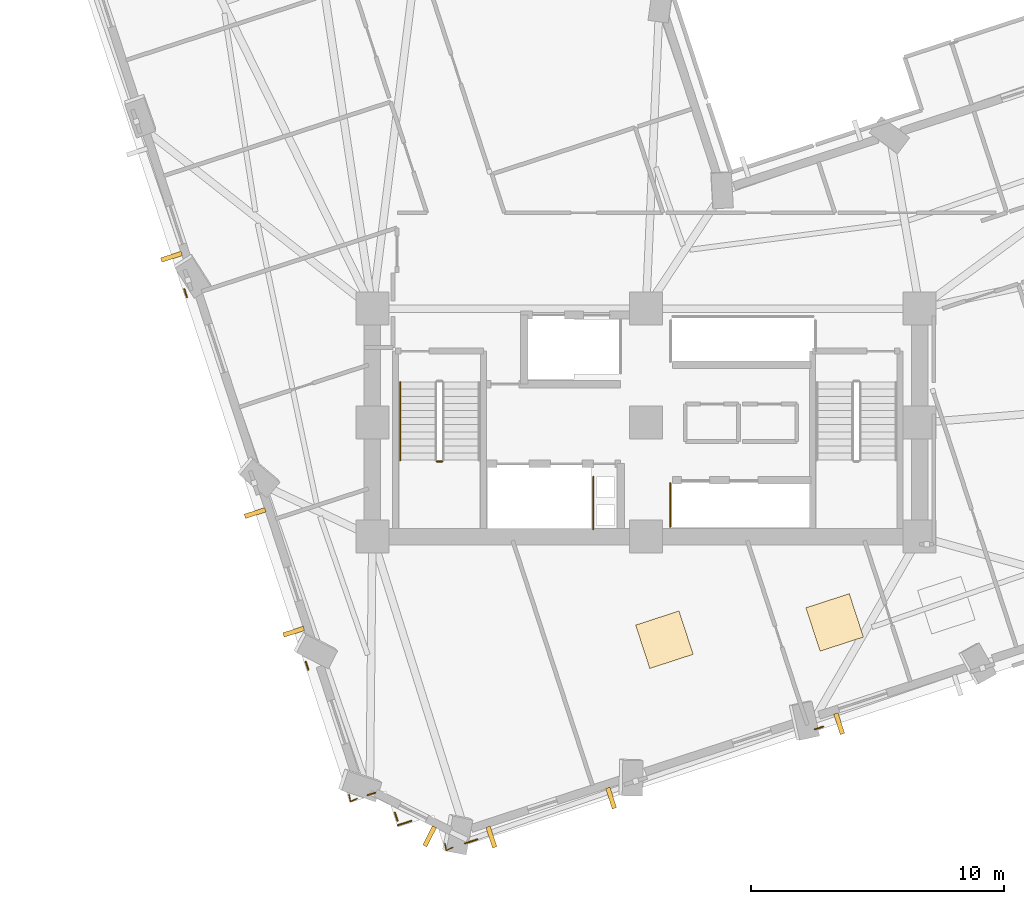
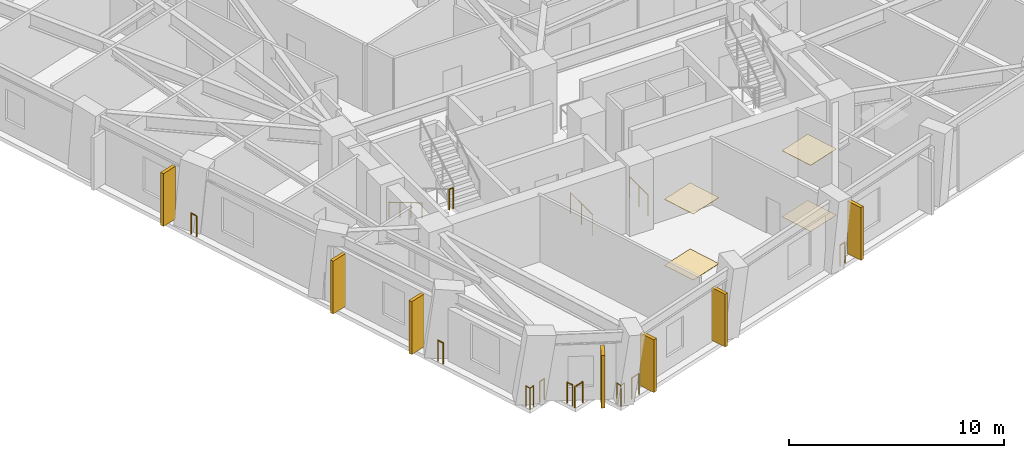
# One storey, part 12 of 16: 13 railings, 7 shading devices, 4 coverings.
"""IFC4 building model written with IfcOpenShell, lengths in metres."""

from ifc_helpers import new_model, si_unit, direction, frame, origin, origin_2d, place, context, subcontext, project, spatial, rectangle, circle, extrude, material, layer, layer_set, type_object, element, save


model = new_model("IFC4")

# Units and contexts
model_context = context("Model", 3, precision=1e-05, world=origin(), true_north=direction((0.0, 1.0)))
body_context = subcontext(model_context, "Body", "Model", "MODEL_VIEW")
ifc_project = project(units=[si_unit("LENGTHUNIT", "METRE"), si_unit("AREAUNIT", "SQUARE_METRE"), si_unit("VOLUMEUNIT", "CUBIC_METRE"), si_unit("PLANEANGLEUNIT", "RADIAN"), si_unit("MASSUNIT", "GRAM", prefix="KILO")], contexts=[model_context])

# Site, building, storey
site_placement = place(None, origin())
site = spatial("IfcSite", under=ifc_project, at=site_placement, CompositionType="ELEMENT")
building_placement = place(site_placement, origin())
building = spatial("IfcBuilding", under=site, at=building_placement, Name="Gaonmaruhae Medical Tower", CompositionType="ELEMENT")
storey_placement = place(building_placement, frame((0.0, 0.0, 100.39990234375)))
storey = spatial("IfcBuildingStorey", under=building, at=storey_placement, Name="L23", CompositionType="ELEMENT", Elevation=100.39990234375)

# Coverings
ifc_material_1 = material(Name="Acoustic mineral ceiling tile", Category="finish")
ifc_layer_1 = layer(ifc_material_1, 0.02490234375)
ifc_layer_set_1 = layer_set([ifc_layer_1], Name="Acoustic mineral ceiling tile")
covering_type_1 = type_object("IfcCoveringType", Name="CLG-01 Antimicrobial Acoustic Mineral Ceiling", PredefinedType="CEILING", material=ifc_layer_set_1)
for number, where, z_axis, x_axis, name in (
    (1, (25.524658203125, 3.734375, 3.755126953125), (0.0, 0.0, 1.0), (0.950786485994, 0.309846829984, 0.0), "L23 Clinical Room Acoustic Ceiling 2"),
    (2, (32.244140625, 4.416015625, 3.755126953125), (0.0, 0.0, 1.0), (0.950786485994, 0.309846829984, 0.0), "L23 Clinical Room Acoustic Ceiling 3"),
):
    element("IfcCovering", number, at=place(storey_placement, frame(where, z_axis=z_axis, x_axis=x_axis)), inside=storey, type_object=covering_type_1, Name=name, PredefinedType="CEILING", context=body_context, shape_type="SweptSolid", body=[
        extrude(rectangle(XDim=1.800048828125, YDim=1.800048828125, at=origin_2d()), origin(), (0.0, 0.0, 1.0), 0.02490234375),
    ])
ifc_material_2 = material(Name="Seamless clinical vinyl flooring", Category="finish")
ifc_layer_2 = layer(ifc_material_2, 0.014892578125)
ifc_layer_set_2 = layer_set([ifc_layer_2], Name="Seamless clinical vinyl flooring")
covering_type_2 = type_object("IfcCoveringType", Name="FLR-01 Seamless Clinical Antistatic Vinyl Flooring", PredefinedType="FLOORING", material=ifc_layer_set_2)
for number, where, z_axis, x_axis, name in (
    (3, (25.524658203125, 3.734375, 0.0), (0.0, 0.0, 1.0), (0.950786485994, 0.309846829984, 0.0), "L23 Clinical Room Vinyl Flooring 2"),
    (4, (32.244140625, 4.416015625, 0.0), (0.0, 0.0, 1.0), (0.950786485994, 0.309846829984, 0.0), "L23 Clinical Room Vinyl Flooring 3"),
):
    element("IfcCovering", number, at=place(storey_placement, frame(where, z_axis=z_axis, x_axis=x_axis)), inside=storey, type_object=covering_type_2, Name=name, PredefinedType="FLOORING", context=body_context, shape_type="SweptSolid", body=[
        extrude(rectangle(XDim=1.800048828125, YDim=1.800048828125, at=origin_2d()), origin(), (0.0, 0.0, 1.0), 0.014892578125),
    ])

# Railings
ifc_material_3 = material(Name="Stainless steel 316L and laminated safety glass", Category="steel")
ifc_layer_3 = layer(ifc_material_3, 0.080078125)
ifc_layer_set_3 = layer_set([ifc_layer_3], Name="Stainless steel 316L and laminated safety glass")
railing_type_1 = type_object("IfcRailingType", Name="GD-120 Outdoor Terrace Safety Glass & Steel Balustrade", PredefinedType="BALUSTRADE", material=ifc_layer_set_3)
railing_1_placement = place(storey_placement, frame((31.785888671875, 0.30224609375, 0.0)))
element("IfcRailing", 5, at=railing_1_placement, inside=storey, type_object=railing_type_1, Name="L23 Perimeter Slab Edge Safety Balustrade 04", PredefinedType="BALUSTRADE", context=body_context, shape_type="SweptSolid", body=[
    extrude(circle(Radius=0.02392578125, at=origin_2d()), frame((0.0, 0.0, 1.17578125), z_axis=(-0.950891141197, -0.309525503947, 0.0), x_axis=(0.309525503947, -0.950891141197, 0.0)), (0.0, 0.0, 1.0), 0.339111328125),
    extrude(circle(Radius=0.02099609375, at=origin_2d()), origin(), (0.0, 0.0, 1.0), 1.15185546875),
    extrude(circle(Radius=0.02099609375, at=origin_2d()), frame((-0.322509765625, -0.10498046875, 0.0)), (0.0, 0.0, 1.0), 1.15185546875),
])
railing_2_placement = place(storey_placement, frame((18.142822265625, -4.143798828125, 0.0)))
element("IfcRailing", 6, at=railing_2_placement, inside=storey, type_object=railing_type_1, Name="L23 Perimeter Slab Edge Safety Balustrade 05", PredefinedType="BALUSTRADE", context=body_context, shape_type="SweptSolid", body=[
    extrude(circle(Radius=0.02392578125, at=origin_2d()), frame((0.0, 0.0, 1.17578125), z_axis=(-0.950826307261, -0.309724608999, 0.0), x_axis=(0.309724608999, -0.950826307261, 0.0)), (0.0, 0.0, 1.0), 0.5185546875),
    extrude(circle(Radius=0.02099609375, at=origin_2d()), origin(), (0.0, 0.0, 1.0), 1.15185546875),
    extrude(circle(Radius=0.02099609375, at=origin_2d()), frame((-0.4931640625, -0.16064453125, 0.0)), (0.0, 0.0, 1.0), 1.15185546875),
])
railing_3_placement = place(storey_placement, frame((15.53369140625, -3.41650390625, 0.0)))
element("IfcRailing", 7, at=railing_3_placement, inside=storey, type_object=railing_type_1, Name="L23 Perimeter Slab Edge Safety Balustrade 06", PredefinedType="BALUSTRADE", context=body_context, shape_type="SweptSolid", body=[
    extrude(circle(Radius=0.02392578125, at=origin_2d()), frame((0.0, 0.0, 1.17578125), z_axis=(-0.950883369734, -0.309549377584, 0.0), x_axis=(0.309549377584, -0.950883369734, 0.0)), (0.0, 0.0, 1.0), 0.56005859375),
    extrude(circle(Radius=0.02099609375, at=origin_2d()), origin(), (0.0, 0.0, 1.0), 1.15185546875),
    extrude(circle(Radius=0.02099609375, at=origin_2d()), frame((-0.532470703125, -0.17333984375, 0.0)), (0.0, 0.0, 1.0), 1.15185546875),
])
railing_4_placement = place(storey_placement, frame((14.991943359375, -3.400146484375, 0.0)))
element("IfcRailing", 8, at=railing_4_placement, inside=storey, type_object=railing_type_1, Name="L23 Perimeter Slab Edge Safety Balustrade 07", PredefinedType="BALUSTRADE", context=body_context, shape_type="SweptSolid", body=[
    extrude(circle(Radius=0.02392578125, at=origin_2d()), frame((0.0, 0.0, 1.17578125), z_axis=(-0.310167456479, 0.950681938895, 0.0), x_axis=(-0.950681938895, -0.310167456479, 0.0)), (0.0, 0.0, 1.0), 0.32666015625),
    extrude(circle(Radius=0.02099609375, at=origin_2d()), origin(), (0.0, 0.0, 1.0), 1.15185546875),
    extrude(circle(Radius=0.02099609375, at=origin_2d()), frame((-0.101318359375, 0.310546875, 0.0)), (0.0, 0.0, 1.0), 1.15185546875),
])
railing_5_placement = place(storey_placement, frame((14.1181640625, -2.300048828125, 0.0)))
element("IfcRailing", 9, at=railing_5_placement, inside=storey, type_object=railing_type_1, Name="L23 Perimeter Slab Edge Safety Balustrade 08", PredefinedType="BALUSTRADE", context=body_context, shape_type="SweptSolid", body=[
    extrude(circle(Radius=0.02392578125, at=origin_2d()), frame((0.0, 0.0, 1.17578125), z_axis=(-0.950681938895, -0.310167456479, 0.0), x_axis=(0.310167456479, -0.950681938895, 0.0)), (0.0, 0.0, 1.0), 0.32666015625),
    extrude(circle(Radius=0.02099609375, at=origin_2d()), origin(), (0.0, 0.0, 1.0), 1.15185546875),
    extrude(circle(Radius=0.02099609375, at=origin_2d()), frame((-0.310546875, -0.101318359375, 0.0)), (0.0, 0.0, 1.0), 1.15185546875),
])
railing_6_placement = place(storey_placement, frame((11.476806640625, 2.544921875, 0.0)))
element("IfcRailing", 10, at=railing_6_placement, inside=storey, type_object=railing_type_1, Name="L23 Perimeter Slab Edge Safety Balustrade 09", PredefinedType="BALUSTRADE", context=body_context, shape_type="SweptSolid", body=[
    extrude(circle(Radius=0.02392578125, at=origin_2d()), frame((0.0, 0.0, 1.17578125), z_axis=(-0.309752271066, 0.950817296103, 0.0), x_axis=(-0.950817296103, -0.309752271066, 0.0)), (0.0, 0.0, 1.0), 0.339599609375),
    extrude(circle(Radius=0.02099609375, at=origin_2d()), origin(), (0.0, 0.0, 1.0), 1.15185546875),
    extrude(circle(Radius=0.02099609375, at=origin_2d()), frame((-0.105224609375, 0.322998046875, 0.0)), (0.0, 0.0, 1.0), 1.15185546875),
])
railing_7_placement = place(storey_placement, frame((6.68505859375, 17.249267578125, 0.0)))
element("IfcRailing", 11, at=railing_7_placement, inside=storey, type_object=railing_type_1, Name="L23 Perimeter Slab Edge Safety Balustrade 10", PredefinedType="BALUSTRADE", context=body_context, shape_type="SweptSolid", body=[
    extrude(circle(Radius=0.02392578125, at=origin_2d()), frame((0.0, 0.0, 1.17578125), z_axis=(-0.310401781711, 0.950605456491, 0.0), x_axis=(-0.950605456491, -0.310401781711, 0.0)), (0.0, 0.0, 1.0), 0.33984375),
    extrude(circle(Radius=0.02099609375, at=origin_2d()), origin(), (0.0, 0.0, 1.0), 1.15185546875),
    extrude(circle(Radius=0.02099609375, at=origin_2d()), frame((-0.10546875, 0.322998046875, 0.0)), (0.0, 0.0, 1.0), 1.15185546875),
])
railing_8_placement = place(storey_placement, frame((17.177490234375, -4.45849609375, 0.0)))
element("IfcRailing", 12, at=railing_8_placement, inside=storey, type_object=railing_type_1, Name="L23 Perimeter Corner Safety Balustrade 12", PredefinedType="BALUSTRADE", context=body_context, shape_type="SweptSolid", body=[
    extrude(circle(Radius=0.02392578125, at=origin_2d()), frame((0.0, 0.0, 1.17578125), z_axis=(-0.906009358298, -0.42325765519, 0.0), x_axis=(0.42325765519, -0.906009358298, 0.0)), (0.0, 0.0, 1.0), 0.287353515625),
    extrude(circle(Radius=0.02392578125, at=origin_2d()), frame((-0.26025390625, -0.12158203125, 1.17578125), z_axis=(-0.191210841639, 0.981548987081, 0.0), x_axis=(-0.981548987081, -0.191210841639, 0.0)), (0.0, 0.0, 1.0), 0.287353515625),
    extrude(circle(Radius=0.02099609375, at=origin_2d()), origin(), (0.0, 0.0, 1.0), 1.15185546875),
    extrude(circle(Radius=0.02099609375, at=origin_2d()), frame((-0.26025390625, -0.12158203125, 0.0)), (0.0, 0.0, 1.0), 1.15185546875),
    extrude(circle(Radius=0.02099609375, at=origin_2d()), frame((-0.315185546875, 0.160400390625, 0.0)), (0.0, 0.0, 1.0), 1.15185546875),
])
railing_9_placement = place(storey_placement, frame((13.3955078125, -2.53564453125, 0.0)))
element("IfcRailing", 13, at=railing_9_placement, inside=storey, type_object=railing_type_1, Name="L23 Perimeter Corner Safety Balustrade 13", PredefinedType="BALUSTRADE", context=body_context, shape_type="SweptSolid", body=[
    extrude(circle(Radius=0.02392578125, at=origin_2d()), frame((0.0, 0.0, 1.17578125), z_axis=(-0.906009358298, -0.42325765519, 0.0), x_axis=(0.42325765519, -0.906009358298, 0.0)), (0.0, 0.0, 1.0), 0.287353515625),
    extrude(circle(Radius=0.02392578125, at=origin_2d()), frame((-0.26025390625, -0.12158203125, 1.17578125), z_axis=(-0.191370469987, 0.981517877176, 0.0), x_axis=(-0.981517877176, -0.191370469987, 0.0)), (0.0, 0.0, 1.0), 0.287109375),
    extrude(circle(Radius=0.02099609375, at=origin_2d()), origin(), (0.0, 0.0, 1.0), 1.15185546875),
    extrude(circle(Radius=0.02099609375, at=origin_2d()), frame((-0.26025390625, -0.12158203125, 0.0)), (0.0, 0.0, 1.0), 1.15185546875),
    extrude(circle(Radius=0.02099609375, at=origin_2d()), frame((-0.315185546875, 0.16015625, 0.0)), (0.0, 0.0, 1.0), 1.15185546875),
])
ifc_material_4 = material(Name="Stainless steel 304 handrail", Category="steel")
railing_type_2 = type_object("IfcRailingType", Name="HR-092 Continuous Stainless Steel Stair Handrail", PredefinedType="HANDRAIL", material=ifc_material_4)
railing_10_placement = place(storey_placement, frame((15.10009765625, 13.89990234375, 0.166748046875)))
element("IfcRailing", 14, at=railing_10_placement, inside=storey, type_object=railing_type_2, Name="L23 ST-01 stair handrail 1", PredefinedType="HANDRAIL", context=body_context, shape_type="SweptSolid", body=[
    extrude(circle(Radius=0.02392578125, at=origin_2d()), frame((0.0, 0.0, 0.8759765625), z_axis=(0.0, -0.859290745958, 0.51148745235), x_axis=(1.0, 0.0, 0.0)), (0.0, 0.0, 1.0), 3.584228515625),
    extrude(circle(Radius=0.02099609375, at=origin_2d()), origin(), (0.0, 0.0, 1.0), 0.851806640625),
    extrude(circle(Radius=0.02099609375, at=origin_2d()), frame((0.0, -1.026611328125, 0.611083984375)), (0.0, 0.0, 1.0), 0.851806640625),
    extrude(circle(Radius=0.02099609375, at=origin_2d()), frame((0.0, -2.05322265625, 1.22216796875)), (0.0, 0.0, 1.0), 0.851806640625),
    extrude(circle(Radius=0.02099609375, at=origin_2d()), frame((0.0, -3.079833984375, 1.833251953125)), (0.0, 0.0, 1.0), 0.851806640625),
])

# Shading devices
ifc_material_5 = material(Name="Pigmented coral precast concrete C45/55", Category="concrete")
shading_device_type = type_object("IfcShadingDeviceType", Name="SD-FIN1 Tower Vertical Coral Precast Shading Fin", PredefinedType="USERDEFINED", material=ifc_material_5)
for number, where, z_axis, x_axis, name in (
    (15, (23.421630859375, -2.512939453125, 0.08251953125), (0.0, 0.0, 1.0), (-0.950786485994, -0.309846829984, 0.0), "L23 Vertical Coral Precast Shading Fin S01"),
    (16, (18.6962890625, -4.052734375, 0.08251953125), (0.0, 0.0, 1.0), (-0.950786485994, -0.309846829984, 0.0), "L23 Vertical Coral Precast Shading Fin S01B"),
    (17, (32.4208984375, 0.419921875, 0.08251953125), (0.0, 0.0, 1.0), (-0.950791893697, -0.309830235582, 0.0), "L23 Vertical Coral Precast Shading Fin S03B"),
    (18, (6.074951171875, 18.8466796875, 0.08251953125), (0.0, 0.0, 1.0), (-0.309846829984, 0.950786485994, 0.0), "L23 Vertical Coral Precast Shading Fin W03"),
    (19, (10.89697265625, 4.050537109375, 0.08251953125), (0.0, 0.0, 1.0), (-0.309863424291, 0.950781078002, 0.0), "L23 Vertical Coral Precast Shading Fin W05"),
    (20, (9.371337890625, 8.731689453125, 0.08251953125), (0.0, 0.0, 1.0), (-0.309863424291, 0.950781078002, 0.0), "L23 Vertical Coral Precast Shading Fin W05B"),
    (21, (16.260986328125, -4.0234375, 0.08251953125), (0.0, 0.0, 1.0), (-0.891394456127, 0.453228334934, 0.0), "L23 Vertical Coral Precast Shading Fin W07"),
):
    element("IfcShadingDevice", number, at=place(storey_placement, frame(where, z_axis=z_axis, x_axis=x_axis)), inside=storey, type_object=shading_device_type, Name=name, ObjectType="FIN", PredefinedType="USERDEFINED", context=body_context, shape_type="SweptSolid", body=[
        extrude(rectangle(XDim=0.179931640625, YDim=0.85009765625, at=origin_2d()), origin(), (0.0, 0.0, 1.0), 3.0),
    ])

# Railings
ifc_material_6 = material(Name="Stainless steel 304 balustrade", Category="steel")
railing_type_3 = type_object("IfcRailingType", Name="SG-112 Stair Well & Ramp Void Safety Balustrade", PredefinedType="BALUSTRADE", material=ifc_material_6)
railing_11_placement = place(storey_placement, frame((16.550048828125, 10.77001953125, 2.0)))
element("IfcRailing", 22, at=railing_11_placement, inside=storey, type_object=railing_type_3, Name="L23 ST-01 stair guard 2", PredefinedType="BALUSTRADE", context=body_context, shape_type="SweptSolid", body=[
    extrude(circle(Radius=0.02392578125, at=origin_2d()), frame((0.0, 0.0, 1.17578125), z_axis=(1.0, 0.0, 0.0), x_axis=(0.0, 1.0, 0.0)), (0.0, 0.0, 1.0), 0.199951171875),
    extrude(circle(Radius=0.02099609375, at=origin_2d()), origin(), (0.0, 0.0, 1.0), 1.15185546875),
    extrude(circle(Radius=0.02099609375, at=origin_2d()), frame((0.199951171875, 0.0, 0.0)), (0.0, 0.0, 1.0), 1.15185546875),
])
railing_12_placement = place(storey_placement, frame((25.7548828125, 8.195068359375, 0.0)))
element("IfcRailing", 23, at=railing_12_placement, inside=storey, type_object=railing_type_3, Name="L23 Shaft Edge Safety Guard 15", PredefinedType="BALUSTRADE", context=body_context, shape_type="SweptSolid", body=[
    extrude(circle(Radius=0.02392578125, at=origin_2d()), frame((0.0, 0.0, 1.17578125), z_axis=(0.0, 1.0, 0.0), x_axis=(-1.0, 0.0, 0.0)), (0.0, 0.0, 1.0), 1.7099609375),
    extrude(circle(Radius=0.02099609375, at=origin_2d()), origin(), (0.0, 0.0, 1.0), 1.15185546875),
    extrude(circle(Radius=0.02099609375, at=origin_2d()), frame((0.0, 0.85498046875, 0.0)), (0.0, 0.0, 1.0), 1.15185546875),
    extrude(circle(Radius=0.02099609375, at=origin_2d()), frame((0.0, 1.7099609375, 0.0)), (0.0, 0.0, 1.0), 1.15185546875),
])
railing_13_placement = place(storey_placement, frame((22.719970703125, 10.159912109375, 0.0)))
element("IfcRailing", 24, at=railing_13_placement, inside=storey, type_object=railing_type_3, Name="L23 Shaft Edge Safety Guard 16", PredefinedType="BALUSTRADE", context=body_context, shape_type="SweptSolid", body=[
    extrude(circle(Radius=0.02392578125, at=origin_2d()), frame((0.0, 0.0, 1.17578125), z_axis=(0.0, -1.0, 0.0), x_axis=(1.0, 0.0, 0.0)), (0.0, 0.0, 1.0), 2.06494140625),
    extrude(circle(Radius=0.02099609375, at=origin_2d()), origin(), (0.0, 0.0, 1.0), 1.15185546875),
    extrude(circle(Radius=0.02099609375, at=origin_2d()), frame((0.0, -1.032470703125, 0.0)), (0.0, 0.0, 1.0), 1.15185546875),
    extrude(circle(Radius=0.02099609375, at=origin_2d()), frame((0.0, -2.06494140625, 0.0)), (0.0, 0.0, 1.0), 1.15185546875),
])

save(model, "model.ifc")
